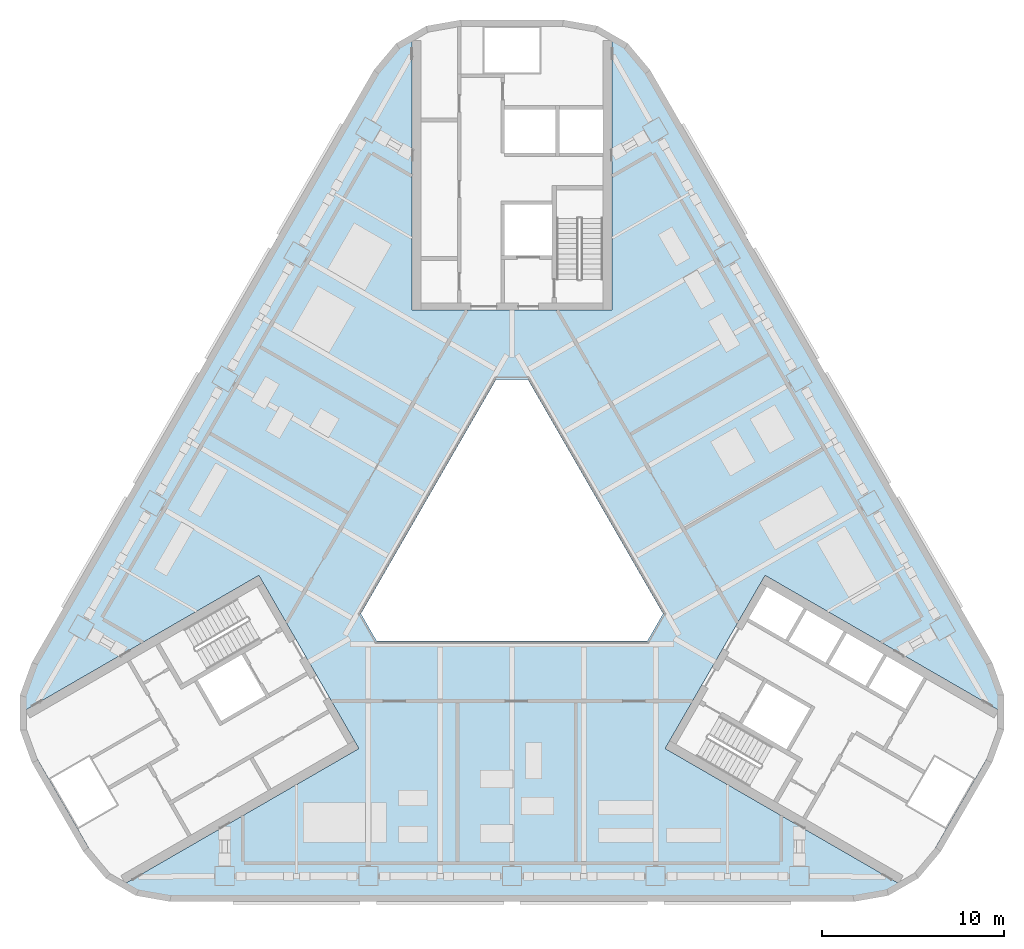
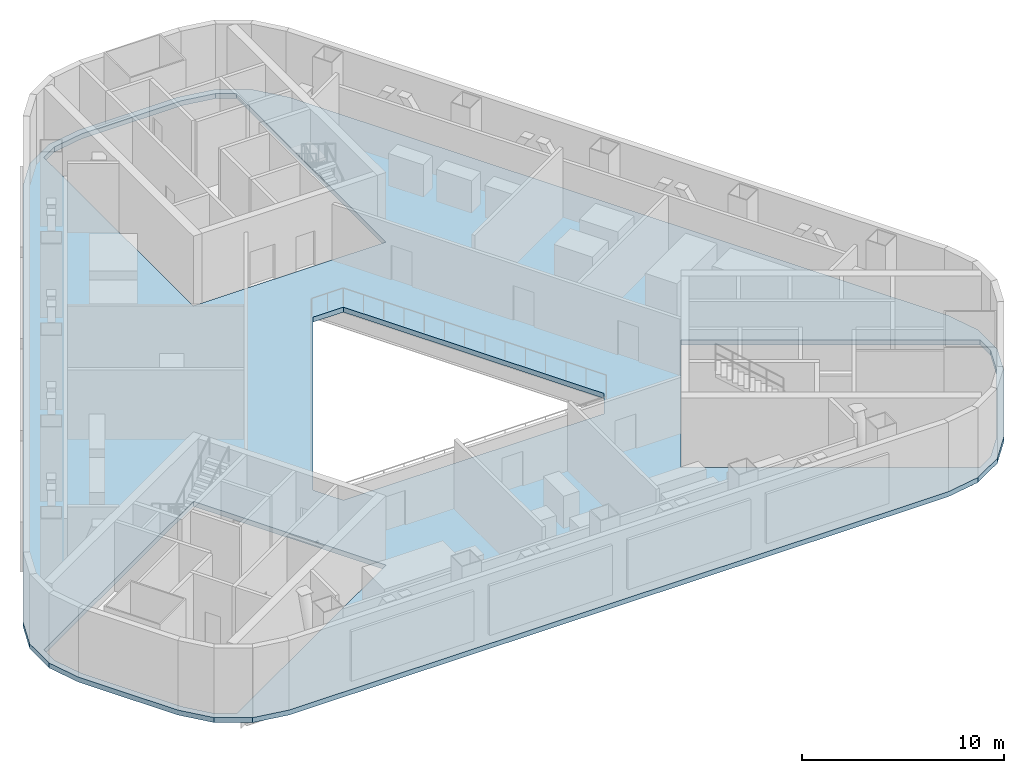
# One storey, part 5 of 15: 1 slab.
"""IFC4 building model written with IfcOpenShell, lengths in metres."""

from ifc_helpers import new_model, si_unit, direction, frame, origin, place, context, subcontext, project, spatial, polyline, outline, extrude, material, layer, layer_set, type_object, element, save


model = new_model("IFC4")

# Units and contexts
model_context = context("Model", 3, precision=1e-05, world=origin(), true_north=direction((0.0, 1.0)))
body_context = subcontext(model_context, "Body", "Model", "MODEL_VIEW")
ifc_project = project(units=[si_unit("LENGTHUNIT", "METRE"), si_unit("AREAUNIT", "SQUARE_METRE"), si_unit("VOLUMEUNIT", "CUBIC_METRE"), si_unit("PLANEANGLEUNIT", "RADIAN"), si_unit("MASSUNIT", "GRAM", prefix="KILO")], contexts=[model_context])

# Site, building, storey
site_placement = place(None, origin())
site = spatial("IfcSite", under=ifc_project, at=site_placement, CompositionType="ELEMENT")
building_placement = place(site_placement, origin())
building = spatial("IfcBuilding", under=site, at=building_placement, Name="Apuvela Tower Hotel", CompositionType="ELEMENT")
storey_placement = place(building_placement, frame((0.0, 0.0, 37.5)))
storey = spatial("IfcBuildingStorey", under=building, at=storey_placement, Name="L06 Plant", CompositionType="ELEMENT", Elevation=37.5)

# Slab
ifc_material = material(Name="Concrete C35/45", Category="concrete")
ifc_layer = layer(ifc_material, 0.300048828125)
ifc_layer_set = layer_set([ifc_layer], Name="STR-SLAB 300 floor Concrete C35/45")
slab_type = type_object("IfcSlabType", Name="STR-SLAB 300 floor Concrete C35/45", PredefinedType="FLOOR", material=ifc_layer_set)
slab_placement = place(storey_placement, frame((0.0, 0.0, -0.300048828125)))
element("IfcSlab", 1, at=slab_placement, inside=storey, type_object=slab_type, Name="Floor slab S2 L06 Plant", PredefinedType="FLOOR", context=body_context, shape_type="SweptSolid", body=[
    extrude(outline(polyline([(7.59228515625, 26.110107421875), (6.3642578125, 27.5732421875), (4.710205078125, 28.5283203125), (2.8291015625, 28.860107421875), (-2.8291015625, 28.860107421875), (-4.710205078125, 28.5283203125), (-6.3642578125, 27.5732421875), (-7.59228515625, 26.110107421875), (-26.407958984375, -6.47998046875), (-27.061279296875, -8.27490234375), (-27.061279296875, -10.18505859375), (-26.407958984375, -11.97998046875), (-23.5791015625, -16.8798828125), (-22.351318359375, -18.34326171875), (-20.697021484375, -19.29833984375), (-18.81591796875, -19.6298828125), (18.81591796875, -19.6298828125), (20.697021484375, -19.29833984375), (22.351318359375, -18.34326171875), (23.5791015625, -16.8798828125), (26.407958984375, -11.97998046875), (27.061279296875, -10.18505859375), (27.061279296875, -8.27490234375), (26.407958984375, -6.47998046875), (7.59228515625, 26.110107421875)]), holes=[polyline([(0.865966796875, 9.10009765625), (-0.865966796875, 9.10009765625), (-8.313720703125, -3.800048828125), (-7.44775390625, -5.300048828125), (7.44775390625, -5.300048828125), (8.313720703125, -3.800048828125), (0.865966796875, 9.10009765625)]), polyline([(-5.5, 12.89990234375), (-5.5, 27.668212890625), (-4.588623046875, 28.1943359375), (-2.85498046875, 28.5), (2.85498046875, 28.5), (4.588623046875, 28.1943359375), (5.5, 27.668212890625), (5.5, 12.89990234375), (-5.5, 12.89990234375)]), polyline([(-8.421630859375, -11.213134765625), (-21.211181640625, -18.59716796875), (-22.122802734375, -18.071044921875), (-23.254150390625, -16.72265625), (-26.109375, -11.77734375), (-26.711181640625, -10.123291015625), (-26.711181640625, -9.07080078125), (-13.921630859375, -1.68701171875), (-8.421630859375, -11.213134765625)]), polyline([(13.921630859375, -1.68701171875), (26.711181640625, -9.07080078125), (26.711181640625, -10.123291015625), (26.109375, -11.77734375), (23.254150390625, -16.72265625), (22.122802734375, -18.071044921875), (21.211181640625, -18.59716796875), (8.421630859375, -11.213134765625), (13.921630859375, -1.68701171875)])]), origin(), (0.0, 0.0, 1.0), 0.300048828125),
])

save(model, "model.ifc")
